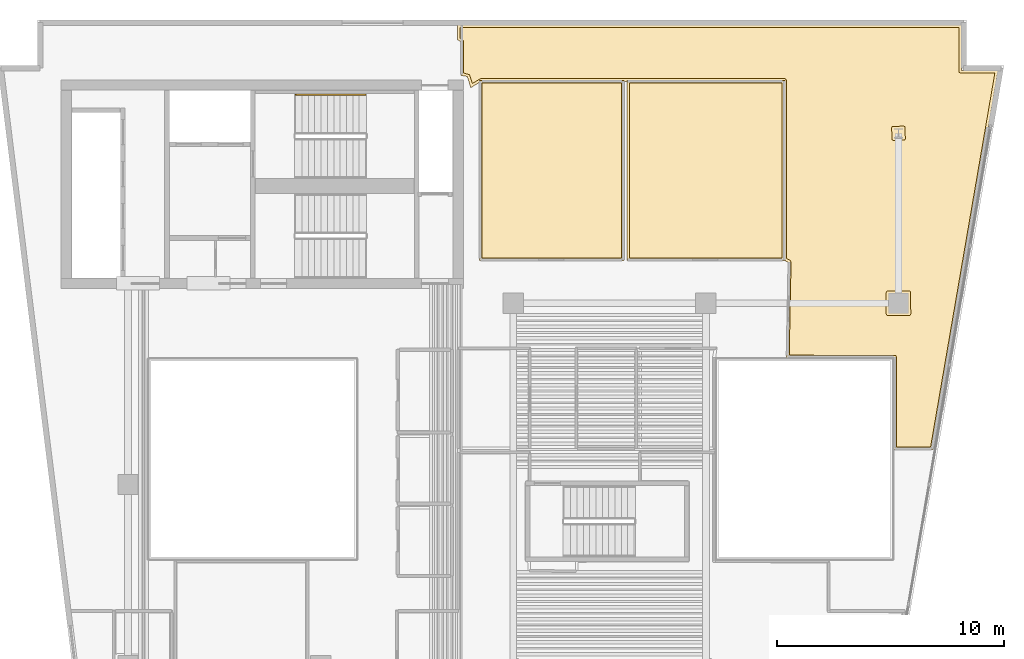
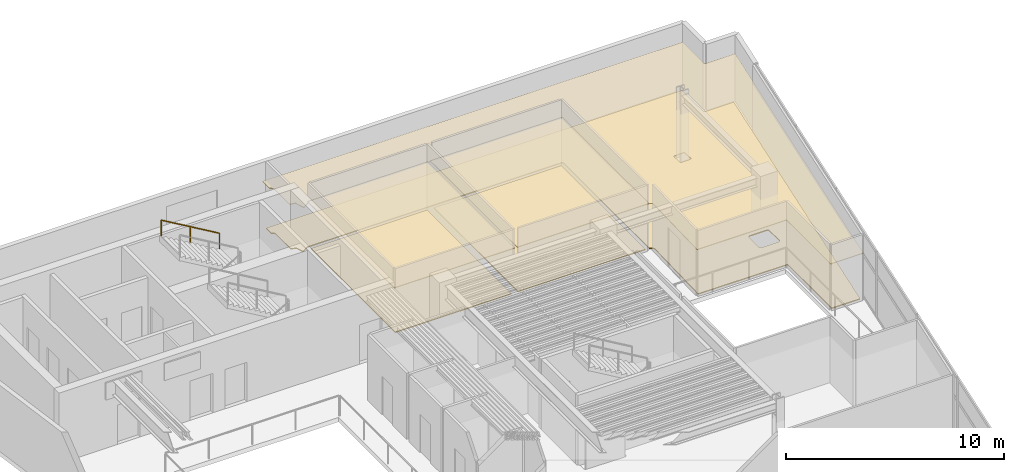
# One storey, part 9 of 9: 6 coverings, 1 railing.
"""IFC4 building model written with IfcOpenShell, lengths in metres."""

from ifc_helpers import new_model, si_unit, direction, frame, origin, origin_2d, place, context, subcontext, project, spatial, polyline, rectangle, outline, extrude, material, layer, layer_set, type_object, element, save


model = new_model("IFC4")

# Units and contexts
model_context = context("Model", 3, precision=1e-05, world=origin(), true_north=direction((0.0, 1.0)))
body_context = subcontext(model_context, "Body", "Model", "MODEL_VIEW")
ifc_project = project(units=[si_unit("LENGTHUNIT", "METRE"), si_unit("AREAUNIT", "SQUARE_METRE"), si_unit("VOLUMEUNIT", "CUBIC_METRE"), si_unit("PLANEANGLEUNIT", "RADIAN"), si_unit("MASSUNIT", "GRAM", prefix="KILO")], contexts=[model_context])

# Site, building, storey
site_placement = place(None, origin())
site = spatial("IfcSite", under=ifc_project, at=site_placement, CompositionType="ELEMENT")
building_placement = place(site_placement, origin())
building = spatial("IfcBuilding", under=site, at=building_placement, Name="Caeloran Harvest Quay", CompositionType="ELEMENT")
storey_placement = place(building_placement, frame((0.0, 0.0, 227.199951171875)))
storey = spatial("IfcBuildingStorey", under=building, at=storey_placement, Name="L54", CompositionType="ELEMENT", Elevation=227.199951171875)

# Coverings
ifc_material_1 = material(Name="Perforated Mineral-Fibre Acoustic Ceiling Tile", Category="ceiling")
ifc_layer_1 = layer(ifc_material_1, 0.0400390625, Name="Perforated Mineral-Fibre Acoustic Ceiling Tile")
ifc_layer_set_1 = layer_set([ifc_layer_1], Name="Perforated Mineral-Fibre Acoustic Ceiling Tile")
covering_type_1 = type_object("IfcCoveringType", Name="COV-CEILING-ACOUSTIC", PredefinedType="CEILING", material=ifc_layer_set_1)
covering_1_placement = place(storey_placement, frame((0.0, 0.0, 2.60009765625)))
element("IfcCovering", 1, at=covering_1_placement, inside=storey, type_object=covering_type_1, Name="L54 Bioinformatics and Crop Phenotyping Laboratory Acoustic Ceiling", PredefinedType="CEILING", context=body_context, shape_type="SweptSolid", body=[
    extrude(outline(polyline([(30.389892578125, 40.840087890625), (30.389892578125, 32.8798828125), (24.010009765625, 32.8798828125), (24.010009765625, 40.840087890625), (30.389892578125, 40.840087890625)])), origin(), (0.0, 0.0, 1.0), 0.0400390625),
])
covering_2_placement = place(storey_placement, frame((0.0, 0.0, 2.60009765625)))
element("IfcCovering", 2, at=covering_2_placement, inside=storey, type_object=covering_type_1, Name="L54 Agri-Genomics Executive Strategy Boardroom Acoustic Ceiling", PredefinedType="CEILING", context=body_context, shape_type="SweptSolid", body=[
    extrude(outline(polyline([(37.489990234375, 40.840087890625), (37.489990234375, 32.8798828125), (30.510009765625, 32.8798828125), (30.510009765625, 40.840087890625), (37.489990234375, 40.840087890625)])), origin(), (0.0, 0.0, 1.0), 0.0400390625),
])
covering_3_placement = place(storey_placement, frame((0.0, 0.0, 2.60009765625)))
element("IfcCovering", 3, at=covering_3_placement, inside=storey, type_object=covering_type_1, Name="Portfolio Catering Kitchen 10 Acoustic Ceiling", PredefinedType="CEILING", context=body_context, shape_type="SweptSolid", body=[
    extrude(outline(polyline([(44.01806640625, 24.5400390625), (42.2900390625, 24.5400390625), (42.2900390625, 28.590087890625), (37.556884765625, 28.590087890625), (37.639404296875, 32.797119140625), (37.43994140625, 32.91015625), (37.43994140625, 40.7900390625), (24.061767578125, 40.7900390625), (23.62841796875, 40.51025390625), (23.47216796875, 41.00439453125), (23.18994140625, 41.06005859375), (23.18994140625, 42.531494140625), (23.0400390625, 42.6298828125), (23.0400390625, 43.280029296875), (45.280029296875, 43.280029296875), (45.280029296875, 41.280029296875), (46.895263671875, 41.280029296875), (44.01806640625, 24.5400390625)])), origin(), (0.0, 0.0, 1.0), 0.0400390625),
])
ifc_material_2 = material(Name="Calcium-Sulphate Raised Access Floor and Terrazzo Finish", Category="flooring")
ifc_layer_2 = layer(ifc_material_2, 0.050048828125, Name="Calcium-Sulphate Raised Access Floor and Terrazzo Finish")
ifc_layer_set_2 = layer_set([ifc_layer_2], Name="Calcium-Sulphate Raised Access Floor and Terrazzo Finish")
covering_type_2 = type_object("IfcCoveringType", Name="COV-FLOOR-RAISED", PredefinedType="FLOORING", material=ifc_layer_set_2)
covering_4_placement = place(storey_placement, origin())
element("IfcCovering", 4, at=covering_4_placement, inside=storey, type_object=covering_type_2, Name="L54 Bioinformatics and Crop Phenotyping Laboratory Raised Finish Flooring", PredefinedType="FLOORING", context=body_context, shape_type="SweptSolid", body=[
    extrude(outline(polyline([(30.27001953125, 40.719970703125), (30.27001953125, 33.0), (24.1298828125, 33.0), (24.1298828125, 40.719970703125), (30.27001953125, 40.719970703125)])), origin(), (0.0, 0.0, 1.0), 0.050048828125),
])
covering_5_placement = place(storey_placement, origin())
element("IfcCovering", 5, at=covering_5_placement, inside=storey, type_object=covering_type_2, Name="L54 Agri-Genomics Executive Strategy Boardroom Raised Finish Flooring", PredefinedType="FLOORING", context=body_context, shape_type="SweptSolid", body=[
    extrude(outline(polyline([(37.3701171875, 40.719970703125), (37.3701171875, 33.0), (30.6298828125, 33.0), (30.6298828125, 40.719970703125), (37.3701171875, 40.719970703125)])), origin(), (0.0, 0.0, 1.0), 0.050048828125),
])
covering_6_placement = place(storey_placement, origin())
element("IfcCovering", 6, at=covering_6_placement, inside=storey, type_object=covering_type_2, Name="Portfolio Catering Kitchen 10 Raised Finish Flooring", PredefinedType="FLOORING", context=body_context, shape_type="SweptSolid", body=[
    extrude(outline(polyline([(45.159912109375, 43.159912109375), (45.17822265625, 41.189208984375), (45.232177734375, 41.160400390625), (46.752685546875, 41.159912109375), (43.916748046875, 24.659912109375), (42.409912109375, 24.659912109375), (42.409912109375, 28.6298828125), (42.380859375, 28.69189453125), (37.679443359375, 28.7099609375), (37.760009765625, 32.818359375), (37.732177734375, 32.880615234375), (37.56005859375, 32.97998046875), (37.56005859375, 40.830078125), (37.53662109375, 40.88671875), (37.47998046875, 40.909912109375), (24.050048828125, 40.909912109375), (23.6953125, 40.6962890625), (23.564697265625, 41.09033203125), (23.31005859375, 41.15869140625), (23.3095703125, 42.560791015625), (23.2861328125, 42.60986328125), (23.159912109375, 42.694580078125), (23.159912109375, 43.159912109375), (45.159912109375, 43.159912109375)]), holes=[polyline([(43.044921875, 30.534912109375), (43.02685546875, 31.515869140625), (42.972900390625, 31.544677734375), (42.034912109375, 31.544921875), (41.978515625, 31.521484375), (41.955078125, 31.465087890625), (41.955078125, 30.534912109375), (41.978515625, 30.478515625), (42.034912109375, 30.455078125), (42.965087890625, 30.455078125), (43.021484375, 30.478515625), (43.044921875, 30.534912109375)]), polyline([(42.802490234375, 38.254150390625), (42.784912109375, 38.788818359375), (42.730712890625, 38.817626953125), (42.226318359375, 38.7998046875), (42.197021484375, 38.738037109375), (42.215087890625, 38.211181640625), (42.277099609375, 38.181884765625), (42.773681640625, 38.2001953125), (42.802490234375, 38.254150390625)])]), origin(), (0.0, 0.0, 1.0), 0.050048828125),
])

# Railing
ifc_material_3 = material(Name="Brushed Stainless Steel Grade 304", Category="steel")
ifc_layer_3 = layer(ifc_material_3, 0.050048828125, Name="Brushed Stainless Steel Grade 304")
ifc_layer_set_3 = layer_set([ifc_layer_3], Name="Brushed Stainless Steel Grade 304")
railing_type = type_object("IfcRailingType", Name="STAIR-HANDRAIL-900", PredefinedType="HANDRAIL", material=ifc_layer_set_3)
railing_placement = place(storey_placement, frame((18.97998046875, 40.199951171875, 2.1396484375)))
element("IfcRailing", 7, at=railing_placement, inside=storey, type_object=railing_type, Name="L54 ST-C1 stair handrail 2", PredefinedType="HANDRAIL", context=body_context, shape_type="SweptSolid", body=[
    extrude(rectangle(XDim=0.048095703125, YDim=0.048095703125, at=origin_2d()), frame((0.0, 0.0, 0.8759765625), z_axis=(-0.862118610829, 0.0, 0.506706523406), x_axis=(0.0, -1.0, 0.0)), (0.0, 0.0, 1.0), 3.57275390625),
    extrude(rectangle(XDim=0.0419921875, YDim=0.0419921875, at=origin_2d()), origin(), (0.0, 0.0, 1.0), 0.851806640625),
    extrude(rectangle(XDim=0.0419921875, YDim=0.0419921875, at=origin_2d()), frame((-1.5400390625, 0.0, 0.9052734375)), (0.0, 0.0, 1.0), 0.851806640625),
    extrude(rectangle(XDim=0.0419921875, YDim=0.0419921875, at=origin_2d()), frame((-3.080078125, 0.0, 1.810302734375)), (0.0, 0.0, 1.0), 0.851806640625),
])

save(model, "model.ifc")
